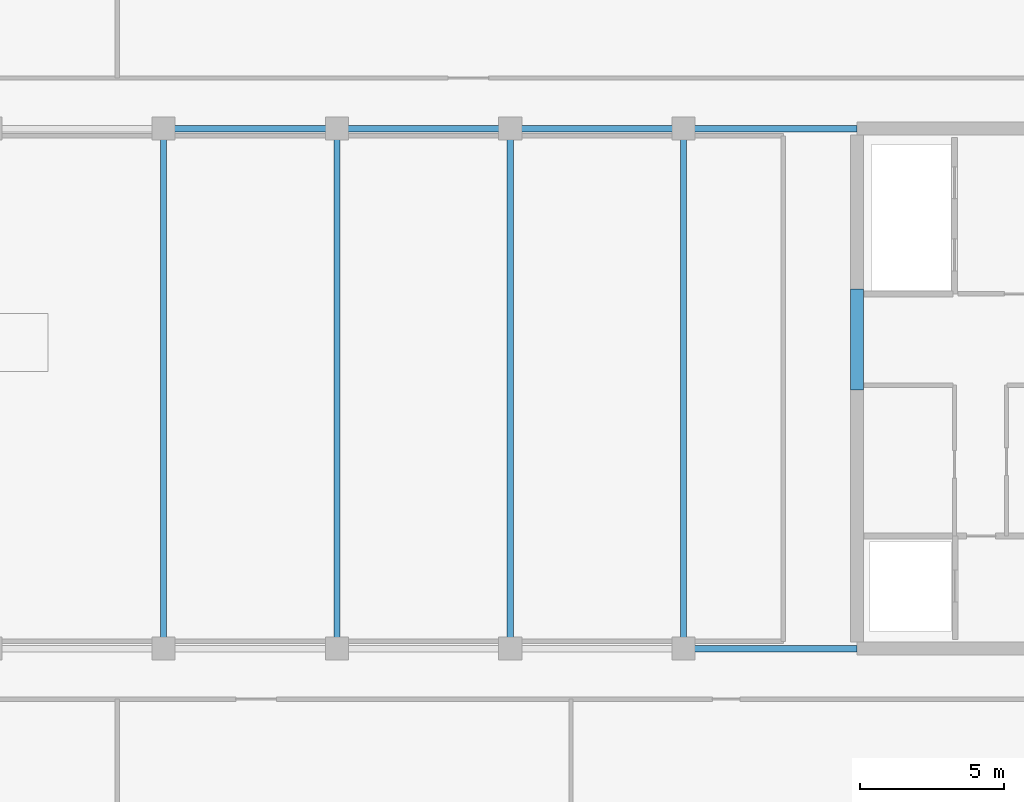
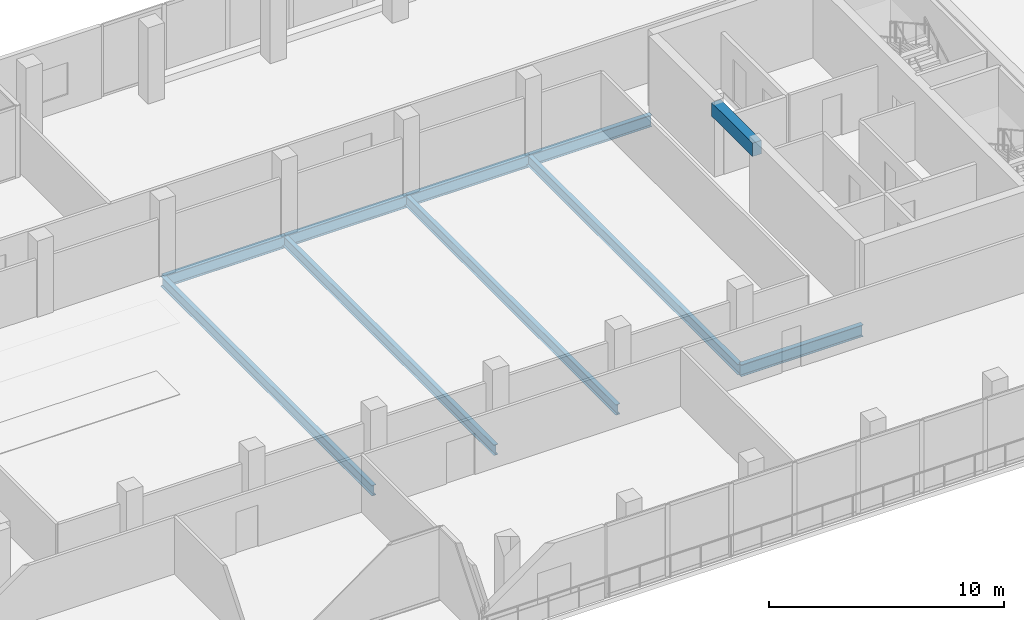
# One storey, part 9 of 26: 10 beams.
"""IFC4 building model written with IfcOpenShell, lengths in metres."""

import ifcopenshell
import ifcopenshell.guid

model = None  # the IFC model being written
_history = None  # IfcOwnerHistory: only IFC2X3 demands one
_inside = {}  # id of a spatial element -> (the spatial element, [elements in it])
_under = {}  # id of a project, library or spatial element -> (it, [spatial elements below it])
_declared = {}  # id of a project -> (the project, [libraries it declares])
_typed = {}  # id of a type object -> (the type object, [elements of that type])
_made_of = {}  # id of a material, layer set ... -> (it, [elements and type objects made of it])


def new_model(schema):
    """Start an empty IFC model of exactly this schema.

    Asked for "IFC4X3", IfcOpenShell would pick the latest addendum, in which some entities
    have other attributes; the version numbers below select the first issue.
    IFC2X3 requires an IfcOwnerHistory on every rooted entity: one is made here for all.
    """
    global model, _history
    if schema == "IFC4X3":
        model = ifcopenshell.file(schema_version=(4, 3, 0, 0))
    else:
        model = ifcopenshell.file(schema=schema)
    _inside.clear()
    _under.clear()
    _declared.clear()
    _typed.clear()
    _made_of.clear()
    _history = None
    if model.schema == "IFC2X3":
        org = make("IfcOrganization", Name="unknown")
        user = make(
            "IfcPersonAndOrganization",
            ThePerson=make("IfcPerson", FamilyName="unknown"),
            TheOrganization=org,
        )
        app = make(
            "IfcApplication",
            ApplicationDeveloper=org,
            Version="unknown",
            ApplicationFullName="unknown",
            ApplicationIdentifier="unknown",
        )
        _history = make(
            "IfcOwnerHistory",
            OwningUser=user,
            OwningApplication=app,
            ChangeAction="ADDED",
            CreationDate=0,
        )
    return model


def make(cls, **values):
    """One entity of the class cls with the attributes given. An attribute that is None is left unset."""
    return model.create_entity(
        cls, **{name: value for name, value in values.items() if value is not None}
    )


def rooted(cls, **values):
    """An entity with a GlobalId (a new one), such as an element, a storey or a relation."""
    return make(cls, GlobalId=ifcopenshell.guid.new(), OwnerHistory=_history, **values)


def si_unit(unit_type, name, prefix=None):
    """IfcSIUnit, for example si_unit("LENGTHUNIT", "METRE", prefix="MILLI")."""
    return make("IfcSIUnit", UnitType=unit_type, Prefix=prefix, Name=name)


def assignment(units):
    """IfcUnitAssignment: the units of a project."""
    return None if units is None else make("IfcUnitAssignment", Units=units)


def point(xyz):
    """IfcCartesianPoint."""
    return None if xyz is None else make("IfcCartesianPoint", Coordinates=xyz)


def direction(xyz):
    """IfcDirection."""
    return None if xyz is None else make("IfcDirection", DirectionRatios=xyz)


def frame(location, z_axis=None, x_axis=None):
    """IfcAxis2Placement3D, a coordinate frame: its origin and axes. An axis left out is left unset."""
    return make(
        "IfcAxis2Placement3D",
        Location=point(location),
        Axis=direction(z_axis),
        RefDirection=direction(x_axis),
    )


def frame_2d(location, x_axis=None):
    """IfcAxis2Placement2D, a coordinate frame in the plane: its origin and x axis."""
    return make(
        "IfcAxis2Placement2D", Location=point(location), RefDirection=direction(x_axis)
    )


def origin():
    """The frame at (0, 0, 0) with its axes left unset."""
    return frame((0.0, 0.0, 0.0))


def origin_2d():
    """The frame at (0, 0) in the plane with its x axis left unset."""
    return frame_2d((0.0, 0.0))


def place(relative_to, where):
    """IfcLocalPlacement: puts the frame where relative to a parent placement (None: the world)."""
    return make(
        "IfcLocalPlacement", PlacementRelTo=relative_to, RelativePlacement=where
    )


def context(
    kind, dimensions, precision=None, world=None, true_north=None, identifier=None
):
    """IfcGeometricRepresentationContext, for example the 3D "Model" context."""
    return make(
        "IfcGeometricRepresentationContext",
        ContextIdentifier=identifier,
        ContextType=kind,
        CoordinateSpaceDimension=dimensions,
        Precision=precision,
        WorldCoordinateSystem=world,
        TrueNorth=true_north,
    )


def subcontext(parent, identifier, kind, view, scale=None):
    """IfcGeometricRepresentationSubContext, for example "Body" below "Model"."""
    return make(
        "IfcGeometricRepresentationSubContext",
        ContextIdentifier=identifier,
        ContextType=kind,
        ParentContext=parent,
        TargetScale=scale,
        TargetView=view,
    )


def project(units=None, contexts=None):
    """IfcProject with its units and contexts."""
    return rooted(
        "IfcProject",
        Name="project",
        RepresentationContexts=contexts,
        UnitsInContext=assignment(units),
    )


def spatial(cls, under=None, at=None, **own):
    """A site, building, storey or space (cls), placed at a placement, below another one or the project."""
    s = rooted(cls, ObjectPlacement=at, **own)
    if under is not None:
        _under.setdefault(under.id(), (under, []))[1].append(s)
    return s


def profile(cls, at=None, kind="AREA", **sizes):
    """A parametric profile (cls). Its sizes go by their IFC names, for example OverallWidth=200.0."""
    return make(cls, ProfileType=kind, Position=at, **sizes)


def rectangle(**sizes):
    """IfcRectangleProfileDef."""
    return profile("IfcRectangleProfileDef", **sizes)


def i_section(**sizes):
    """IfcIShapeProfileDef."""
    return profile("IfcIShapeProfileDef", **sizes)


def extrude(swept, where, along, depth):
    """IfcExtrudedAreaSolid: the profile swept, set in the frame where, extruded along a direction by depth."""
    return make(
        "IfcExtrudedAreaSolid",
        SweptArea=swept,
        Position=where,
        ExtrudedDirection=direction(along),
        Depth=depth,
    )


def shape(context_of_items, identifier, shape_type, items):
    """IfcShapeRepresentation: the items that make up one representation, for example the "Body"."""
    return make(
        "IfcShapeRepresentation",
        ContextOfItems=context_of_items,
        RepresentationIdentifier=identifier,
        RepresentationType=shape_type,
        Items=items,
    )


def material(Name=None, Category=None):
    """IfcMaterial."""
    return make("IfcMaterial", Name=Name, Category=Category)


def material_profile(
    of_material, cross_section, Name=None, Category=None, Priority=None
):
    """IfcMaterialProfile: a cross section and its material."""
    return make(
        "IfcMaterialProfile",
        Name=Name,
        Material=of_material,
        Profile=cross_section,
        Priority=Priority,
        Category=Category,
    )


def profile_set(profiles, Name=None, composite=None):
    """IfcMaterialProfileSet."""
    return make(
        "IfcMaterialProfileSet",
        Name=Name,
        MaterialProfiles=profiles,
        CompositeProfile=composite,
    )


def made_of(thing, what):
    """Note that an element or type object is made of a material, layer set ...; save() writes the relation."""
    if what is not None:
        _made_of.setdefault(what.id(), (what, []))[1].append(thing)
    return thing


def type_object(cls, material=None, **own):
    """A type object (cls), such as IfcWallType, which elements share."""
    return made_of(rooted(cls, **own), material)


def element(
    cls,
    number,
    at=None,
    inside=None,
    cuts=None,
    type_object=None,
    material=None,
    context=None,
    identifier="Body",
    shape_type=None,
    held_by="IfcProductDefinitionShape",
    body=None,
    shapes=None,
    **own,
):
    """One element of the class cls, such as IfcWall. Its Tag is "e" and its number.

    at: its placement. inside: the storey or other place that contains it. cuts: it is an
    opening in that element (IfcRelVoidsElement). A single representation is given by context,
    identifier, shape_type and body (its items); several are given by shapes. held_by: the class
    of the entity that holds the representations. save() writes the other relations.
    """
    e = rooted(cls, Tag="e%d" % number, ObjectPlacement=at, **own)
    if body is not None:
        shapes = [shape(context, identifier, shape_type, body)]
    if shapes is not None:
        e.Representation = make(held_by, Representations=shapes)
    if inside is not None:
        _inside.setdefault(inside.id(), (inside, []))[1].append(e)
    if cuts is not None:
        rooted(
            "IfcRelVoidsElement", RelatingBuildingElement=cuts, RelatedOpeningElement=e
        )
    if type_object is not None:
        _typed.setdefault(type_object.id(), (type_object, []))[1].append(e)
    return made_of(e, material)


def aggregate(whole, parts):
    """IfcRelAggregates: a whole, such as a stair, and the parts it consists of."""
    return rooted("IfcRelAggregates", RelatingObject=whole, RelatedObjects=parts)


def save(model, path):
    """Write the relations noted so far, then the file.

    IfcRelAggregates (storeys below a building ...), IfcRelContainedInSpatialStructure (elements
    in a storey), IfcRelDefinesByType, IfcRelAssociatesMaterial and IfcRelDeclares: one each for
    every whole, place, type object, material and project.
    """
    for whole, parts in _under.values():
        aggregate(whole, parts)
    for where, things in _inside.values():
        rooted(
            "IfcRelContainedInSpatialStructure",
            RelatedElements=things,
            RelatingStructure=where,
        )
    for kind, things in _typed.values():
        rooted("IfcRelDefinesByType", RelatedObjects=things, RelatingType=kind)
    for what, things in _made_of.values():
        rooted("IfcRelAssociatesMaterial", RelatedObjects=things, RelatingMaterial=what)
    for by, libraries in _declared.values():
        rooted("IfcRelDeclares", RelatingContext=by, RelatedDefinitions=libraries)
    model.write(path)


model = new_model("IFC4")

# Units and contexts
model_context = context("Model", 3, precision=1e-05, world=origin(), true_north=direction((0.0, 1.0)))
body_context = subcontext(model_context, "Body", "Model", "MODEL_VIEW")
ifc_project = project(units=[si_unit("LENGTHUNIT", "METRE"), si_unit("AREAUNIT", "SQUARE_METRE"), si_unit("VOLUMEUNIT", "CUBIC_METRE"), si_unit("PLANEANGLEUNIT", "RADIAN"), si_unit("MASSUNIT", "GRAM", prefix="KILO")], contexts=[model_context])

# Site, building, storey
site_placement = place(None, origin())
site = spatial("IfcSite", under=ifc_project, at=site_placement, CompositionType="ELEMENT")
building_placement = place(site_placement, origin())
building = spatial("IfcBuilding", under=site, at=building_placement, Name="Tanjung Sevakor Pilgrim Tower", CompositionType="ELEMENT")
storey_placement = place(building_placement, frame((0.0, 0.0, 177.8701171875)))
storey = spatial("IfcBuildingStorey", under=building, at=storey_placement, Name="L49", CompositionType="ELEMENT", Elevation=177.8701171875)

# Beams
ifc_material_1 = material(Name="Steel S355J2", Category="steel")
ifc_material_profile_1 = material_profile(ifc_material_1, i_section(OverallWidth=0.22900390625, OverallDepth=0.6123046875, WebThickness=0.011962890625, FlangeThickness=0.01953125, FilletRadius=0.0126953125, at=origin_2d()))
ifc_profile_set_1 = profile_set([ifc_material_profile_1], Name="Steel S355J2")
beam_type_1 = type_object("IfcBeamType", Name="BM-B-G4-UB_610x229x125", PredefinedType="BEAM", material=ifc_profile_set_1)
for number, where, z_axis, x_axis, name in (
    (1, (72.0, 24.60009765625, -0.586181640625), (1.0, 0.0, 0.0), (0.0, 1.0, 0.0), "L49 Primary Floor Girder MAIN Y246-08"),
    (2, (54.0, 42.60009765625, -0.586181640625), (1.0, 0.0, 0.0), (0.0, 1.0, 0.0), "L49 Primary Floor Girder MAIN Y426-05"),
    (3, (60.0, 42.60009765625, -0.586181640625), (1.0, 0.0, 0.0), (0.0, 1.0, 0.0), "L49 Primary Floor Girder MAIN Y426-06"),
    (4, (66.0, 42.60009765625, -0.586181640625), (1.0, 0.0, 0.0), (0.0, 1.0, 0.0), "L49 Primary Floor Girder MAIN Y426-07"),
    (5, (72.0, 42.60009765625, -0.586181640625), (1.0, 0.0, 0.0), (0.0, 1.0, 0.0), "L49 Primary Floor Girder MAIN Y426-08"),
):
    element("IfcBeam", number, at=place(storey_placement, frame(where, z_axis=z_axis, x_axis=x_axis)), inside=storey, type_object=beam_type_1, Name=name, PredefinedType="BEAM", context=body_context, shape_type="SweptSolid", body=[
        extrude(i_section(OverallWidth=0.22900390625, OverallDepth=0.6123046875, WebThickness=0.011962890625, FlangeThickness=0.01953125, FilletRadius=0.0126953125, at=origin_2d()), origin(), (0.0, 0.0, 1.0), 6.0),
    ])
ifc_material_2 = material(Name="Steel S355J2", Category="steel")
ifc_material_profile_2 = material_profile(ifc_material_2, i_section(OverallWidth=0.2119140625, OverallDepth=0.54443359375, WebThickness=0.0126953125, FlangeThickness=0.021240234375, FilletRadius=0.0126953125, at=origin_2d()))
ifc_profile_set_2 = profile_set([ifc_material_profile_2], Name="Steel S355J2")
beam_type_2 = type_object("IfcBeamType", Name="BM-B-G5-UB_533x210x122", PredefinedType="BEAM", material=ifc_profile_set_2)
for number, where, z_axis, x_axis, name in (
    (6, (54.0, 24.60009765625, -0.552490234375), (0.0, 1.0, 0.0), (-1.0, 0.0, 0.0), "L49 MAIN Girder 003"),
    (7, (60.0, 24.60009765625, -0.552490234375), (0.0, 1.0, 0.0), (-1.0, 0.0, 0.0), "L49 MAIN Girder 004"),
    (8, (66.0, 24.60009765625, -0.552490234375), (0.0, 1.0, 0.0), (-1.0, 0.0, 0.0), "L49 MAIN Girder 005"),
    (9, (72.0, 24.60009765625, -0.552490234375), (0.0, 1.0, 0.0), (-1.0, 0.0, 0.0), "L49 MAIN Girder 006"),
):
    element("IfcBeam", number, at=place(storey_placement, frame(where, z_axis=z_axis, x_axis=x_axis)), inside=storey, type_object=beam_type_2, Name=name, PredefinedType="BEAM", context=body_context, shape_type="SweptSolid", body=[
        extrude(i_section(OverallWidth=0.2119140625, OverallDepth=0.54443359375, WebThickness=0.0126953125, FlangeThickness=0.021240234375, FilletRadius=0.0126953125, at=origin_2d()), origin(), (0.0, 0.0, 1.0), 18.0),
    ])
ifc_material_3 = material(Name="Concrete C60/75", Category="concrete")
ifc_material_profile_3 = material_profile(ifc_material_3, rectangle(XDim=0.449951171875, YDim=0.699951171875, at=origin_2d()))
ifc_profile_set_3 = profile_set([ifc_material_profile_3], Name="Concrete C60/75")
beam_type_3 = type_object("IfcBeamType", Name="BM-B-LN3-RC-BM_450x700", PredefinedType="LINTEL", material=ifc_profile_set_3)
beam_placement = place(storey_placement, frame((78.0, 33.550048828125, 3.389892578125), z_axis=(0.0, 1.0, 0.0), x_axis=(-1.0, 0.0, 0.0)))
element("IfcBeam", 10, at=beam_placement, inside=storey, type_object=beam_type_3, Name="L49 E Core Coupling Lintel", PredefinedType="LINTEL", context=body_context, shape_type="SweptSolid", body=[
    extrude(rectangle(XDim=0.449951171875, YDim=0.699951171875, at=origin_2d()), origin(), (0.0, 0.0, 1.0), 3.5),
])

save(model, "model.ifc")
